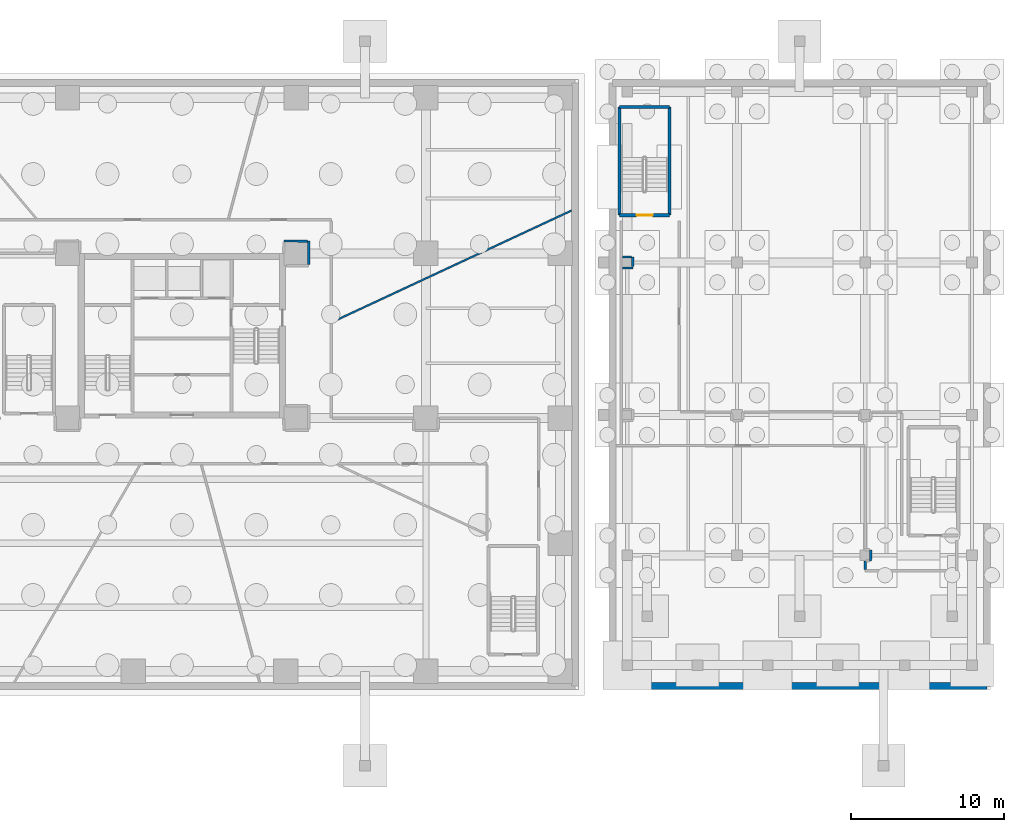
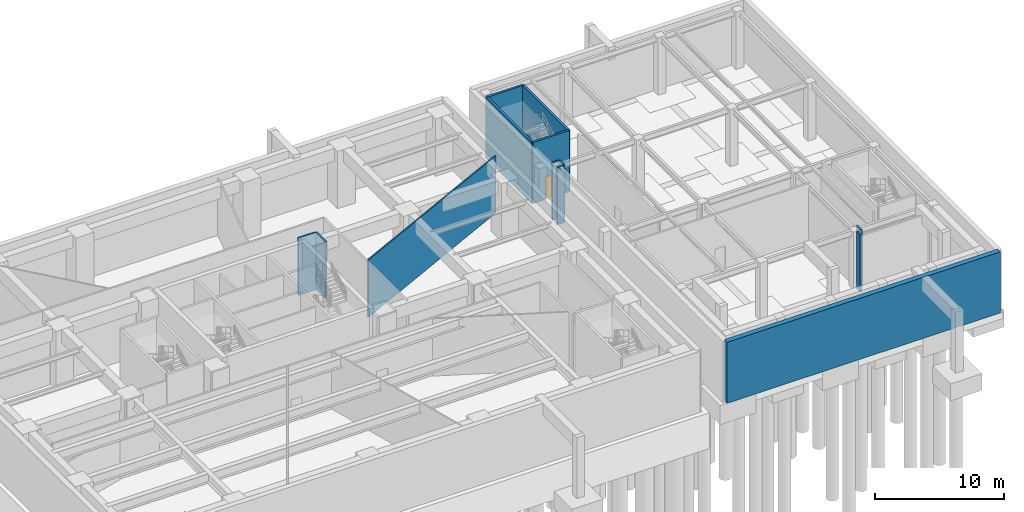
# One storey, part 7 of 15: 13 walls, 1 door, 1 opening.
"""IFC4 building model written with IfcOpenShell, lengths in metres."""

from ifc_helpers import new_model, si_unit, direction, frame, frame_2d, origin, place, context, subcontext, project, spatial, rectangle, extrude, source, transform, mapped, material, layer, layer_set, type_object, type_shapes, element, fill, save


model = new_model("IFC4")

# Units and contexts
model_context = context("Model", 3, precision=1e-05, world=origin(), true_north=direction((0.0, 1.0)))
body_context = subcontext(model_context, "Body", "Model", "MODEL_VIEW")
ifc_project = project(units=[si_unit("LENGTHUNIT", "METRE"), si_unit("AREAUNIT", "SQUARE_METRE"), si_unit("VOLUMEUNIT", "CUBIC_METRE"), si_unit("PLANEANGLEUNIT", "RADIAN"), si_unit("MASSUNIT", "GRAM", prefix="KILO")], contexts=[model_context])

# Site, building, storey
site_placement = place(None, origin())
site = spatial("IfcSite", under=ifc_project, at=site_placement, CompositionType="ELEMENT")
building_placement = place(site_placement, origin())
building = spatial("IfcBuilding", under=site, at=building_placement, Name="Talar Marvaseh", CompositionType="ELEMENT")
storey_placement = place(building_placement, frame((0.0, 0.0, -11.60009765625)))
storey = spatial("IfcBuildingStorey", under=building, at=storey_placement, Name="B02", CompositionType="ELEMENT", Elevation=-11.60009765625)

# Walls
ifc_material_1 = material(Name="Concrete C50/60", Category="concrete")
ifc_layer_1 = layer(ifc_material_1, 0.449951171875)
ifc_layer_set_1 = layer_set([ifc_layer_1], Name="Concrete C50/60")
wall_type_1 = type_object("IfcWallType", Name="Basement Perimeter Waterproof Retaining Wall 450", PredefinedType="SHEAR", material=ifc_layer_set_1)
wall_1_placement = place(storey_placement, frame((78.77490234375, 8.22509765625, 0.0), z_axis=(0.0, 0.0, 1.0), x_axis=(-1.0, 0.0, 0.0)))
element("IfcWall", 1, at=wall_1_placement, inside=storey, type_object=wall_type_1, Name="B02 Basement Retaining Wall", PredefinedType="SHEAR", context=body_context, shape_type="SweptSolid", body=[
    extrude(rectangle(XDim=24.5498046875, YDim=0.449951171875, at=frame_2d((12.27490234375, 0.0))), origin(), (0.0, 0.0, 1.0), 5.800048828125),
])
ifc_material_2 = material(Name="Gypsum Board Partition Assembly")
ifc_layer_2 = layer(ifc_material_2, 0.155029296875)
ifc_layer_set_2 = layer_set([ifc_layer_2], Name="Gypsum Board Partition Assembly")
wall_type_2 = type_object("IfcWallType", Name="Corridor Fire-Rated Acoustic Partition 155", PredefinedType="PARTITIONING", material=ifc_layer_set_2)
wall_2_placement = place(storey_placement, frame((34.310791015625, 35.872802734375, 0.0), z_axis=(0.0, 0.0, 1.0), x_axis=(0.002717815702, 0.999996306732, 0.0)))
element("IfcWall", 2, at=wall_2_placement, inside=storey, type_object=wall_type_2, Name="B02 Interior Partition Wall", PredefinedType="PARTITIONING", context=body_context, shape_type="SweptSolid", body=[
    extrude(rectangle(XDim=1.527099609375, YDim=0.155029296875, at=frame_2d((0.763671875, 0.0))), origin(), (0.0, 0.0, 1.0), 5.440185546875),
])
wall_3_placement = place(storey_placement, frame((34.2314453125, 37.400634765625, 0.0), z_axis=(0.0, 0.0, 1.0), x_axis=(-0.999967255963, 0.008092404007, 0.0)))
element("IfcWall", 3, at=wall_3_placement, inside=storey, type_object=wall_type_2, Name="B02 Interior Partition Wall", PredefinedType="PARTITIONING", context=body_context, shape_type="SweptSolid", body=[
    extrude(rectangle(XDim=1.53857421875, YDim=0.155029296875, at=frame_2d((0.769287109375, 0.0))), origin(), (0.0, 0.0, 1.0), 5.440185546875),
])
wall_4_placement = place(storey_placement, frame((71.14990234375, 16.43505859375, 0.0), z_axis=(0.0, 0.0, 1.0), x_axis=(0.018258707467, 0.999833295906, 0.0)))
element("IfcWall", 4, at=wall_4_placement, inside=storey, type_object=wall_type_2, Name="B02 Interior Partition Wall", PredefinedType="PARTITIONING", context=body_context, shape_type="SweptSolid", body=[
    extrude(rectangle(XDim=0.721923828125, YDim=0.155029296875, at=frame_2d((0.36083984375, 0.0))), origin(), (0.0, 0.0, 1.0), 5.440185546875),
])
wall_5_placement = place(storey_placement, frame((70.800048828125, 15.883544921875, 0.0), z_axis=(0.0, 0.0, 1.0), x_axis=(0.0, 1.0, 0.0)))
element("IfcWall", 5, at=wall_5_placement, inside=storey, type_object=wall_type_2, Name="B02 Interior Partition Wall", PredefinedType="PARTITIONING", context=body_context, shape_type="SweptSolid", body=[
    extrude(rectangle(XDim=0.551513671875, YDim=0.155029296875, at=frame_2d((0.27587890625, 0.0))), origin(), (0.0, 0.0, 1.0), 5.440185546875),
])
wall_6_placement = place(storey_placement, frame((54.883544921875, 35.63525390625, 0.0), z_axis=(0.0, 0.0, 1.0), x_axis=(0.999981208742, 0.006130429336, 0.0)))
element("IfcWall", 6, at=wall_6_placement, inside=storey, type_object=wall_type_2, Name="B02 Interior Partition Wall", PredefinedType="PARTITIONING", context=body_context, shape_type="SweptSolid", body=[
    extrude(rectangle(XDim=0.677001953125, YDim=0.155029296875, at=frame_2d((0.33837890625, 0.0))), origin(), (0.0, 0.0, 1.0), 5.440185546875),
])
wall_7_placement = place(storey_placement, frame((55.560546875, 35.722900390625, 0.0), z_axis=(0.0, 0.0, 1.0), x_axis=(0.0, 1.0, 0.0)))
element("IfcWall", 7, at=wall_7_placement, inside=storey, type_object=wall_type_2, Name="B02 Interior Partition Wall", PredefinedType="PARTITIONING", context=body_context, shape_type="SweptSolid", body=[
    extrude(rectangle(XDim=0.6376953125, YDim=0.155029296875, at=frame_2d((0.31884765625, 0.0))), origin(), (0.0, 0.0, 1.0), 5.440185546875),
])
wall_8_placement = place(storey_placement, frame((55.47705078125, 36.360595703125, 0.0), z_axis=(0.0, 0.0, 1.0), x_axis=(-1.0, 0.0, 0.0)))
element("IfcWall", 8, at=wall_8_placement, inside=storey, type_object=wall_type_2, Name="B02 Interior Partition Wall", PredefinedType="PARTITIONING", context=body_context, shape_type="SweptSolid", body=[
    extrude(rectangle(XDim=0.593505859375, YDim=0.155029296875, at=frame_2d((0.296875, 0.0))), origin(), (0.0, 0.0, 1.0), 5.440185546875),
])
ifc_layer_3 = layer(ifc_material_2, 0.1201171875)
ifc_layer_set_3 = layer_set([ifc_layer_3], Name="Gypsum Board Partition Assembly")
wall_type_3 = type_object("IfcWallType", Name="Demountable Studio Room Partition 120", PredefinedType="PARTITIONING", material=ifc_layer_set_3)
wall_9_placement = place(storey_placement, frame((35.883544921875, 32.10888671875, 0.0), z_axis=(0.0, 0.0, 1.0), x_axis=(0.906404943577, 0.422409846309, 0.0)))
element("IfcWall", 9, at=wall_9_placement, inside=storey, type_object=wall_type_3, Name="B02 Interior Partition Wall", PredefinedType="PARTITIONING", context=body_context, shape_type="SweptSolid", body=[
    extrude(rectangle(XDim=17.2841796875, YDim=0.1201171875, at=frame_2d((8.64208984375, 0.0))), origin(), (0.0, 0.0, 1.0), 5.440185546875),
])

# Wall, opening, door
ifc_layer_4 = layer(ifc_material_1, 0.199951171875)
ifc_layer_set_4 = layer_set([ifc_layer_4], Name="Concrete C50/60")
wall_type_4 = type_object("IfcWallType", Name="Stair Shaft Structural Concrete Shear Wall 200", PredefinedType="SHEAR", material=ifc_layer_set_4)
wall_10_placement = place(storey_placement, frame((57.9599609375, 39.10009765625, 0.0), z_axis=(0.0, 0.0, 1.0), x_axis=(-1.0, 0.0, 0.0)))
wall_10 = element("IfcWall", 10, at=wall_10_placement, inside=storey, type_object=wall_type_4, Name="B02 MH-ST1 South Shear Wall", PredefinedType="SHEAR", context=body_context, shape_type="SweptSolid", body=[
    extrude(rectangle(XDim=3.260009765625, YDim=0.199951171875, at=frame_2d((1.6298828125, 0.0))), origin(), (0.0, 0.0, 1.0), 5.800048828125),
])
opening_placement = place(wall_10_placement, frame((1.10009765625, 0.0, 0.0)))
opening = element("IfcOpeningElement", 11, at=opening_placement, cuts=wall_10, Name="Opening DR-ST105", PredefinedType="OPENING", context=body_context, shape_type="SweptSolid", body=[
    extrude(rectangle(XDim=1.050048828125, YDim=2.14990234375, at=frame_2d((0.52490234375, 1.074951171875))), frame((0.0, 0.10986328125, 0.0), z_axis=(0.0, -1.0, 0.0), x_axis=(1.0, 0.0, 0.0)), (0.0, 0.0, 1.0), 0.219970703125),
])
ifc_material_3 = material(Name="Fire-Rated Steel Door Leaf", Category="steel")
door_type = type_object("IfcDoorType", Name="Protected Exit Stair Fire Door 1050x2150", OperationType="NOTDEFINED", PredefinedType="DOOR", material=ifc_material_3)
shared_shape = source(origin(), body_context, "Body", "SweptSolid", [
    extrude(rectangle(XDim=1.050048828125, YDim=2.14990234375, at=frame_2d((0.52490234375, 1.074951171875))), frame((0.0, 0.02490234375, 0.0), z_axis=(0.0, -1.0, 0.0), x_axis=(1.0, 0.0, 0.0)), (0.0, 0.0, 1.0), 0.050048828125),
])
type_shapes(door_type, [shared_shape])
door_placement = place(opening_placement, origin())
door = element("IfcDoor", 12, at=door_placement, inside=storey, type_object=door_type, Name="B02 MH-ST1 Exit Door", OperationType="SINGLE_SWING_LEFT", OverallHeight=2.14990234375, OverallWidth=1.050048828125, PredefinedType="DOOR", context=body_context, shape_type="MappedRepresentation", body=[
    mapped(shared_shape, transform((0.0, 0.0, 0.0), x_axis=(1.0, 0.0, 0.0), y_axis=(0.0, 1.0, 0.0), z_axis=(0.0, 0.0, 1.0), scale=1.0)),
])
fill(opening, door)

# Walls
wall_11_placement = place(storey_placement, frame((54.699951171875, 46.199951171875, 0.0), z_axis=(0.0, 0.0, 1.0), x_axis=(1.0, 0.0, 0.0)))
element("IfcWall", 13, at=wall_11_placement, inside=storey, type_object=wall_type_4, Name="B02 MH-ST1 North Shear Wall", PredefinedType="SHEAR", context=body_context, shape_type="SweptSolid", body=[
    extrude(rectangle(XDim=3.260009765625, YDim=0.199951171875, at=frame_2d((1.6298828125, 0.0))), origin(), (0.0, 0.0, 1.0), 5.800048828125),
])
for number, where, z_axis, x_axis, name in (
    (14, (54.699951171875, 39.10009765625, 0.0), (0.0, 0.0, 1.0), (0.0, 1.0, 0.0), "B02 MH-ST1 West Shear Wall"),
    (15, (57.9599609375, 39.10009765625, 0.0), (0.0, 0.0, 1.0), (0.0, 1.0, 0.0), "B02 MH-ST1 East Shear Wall"),
):
    element("IfcWall", number, at=place(storey_placement, frame(where, z_axis=z_axis, x_axis=x_axis)), inside=storey, type_object=wall_type_4, Name=name, PredefinedType="SHEAR", context=body_context, shape_type="SweptSolid", body=[
        extrude(rectangle(XDim=7.099853515625, YDim=0.199951171875, at=frame_2d((3.5498046875, 0.0))), origin(), (0.0, 0.0, 1.0), 5.800048828125),
    ])

save(model, "model.ifc")
